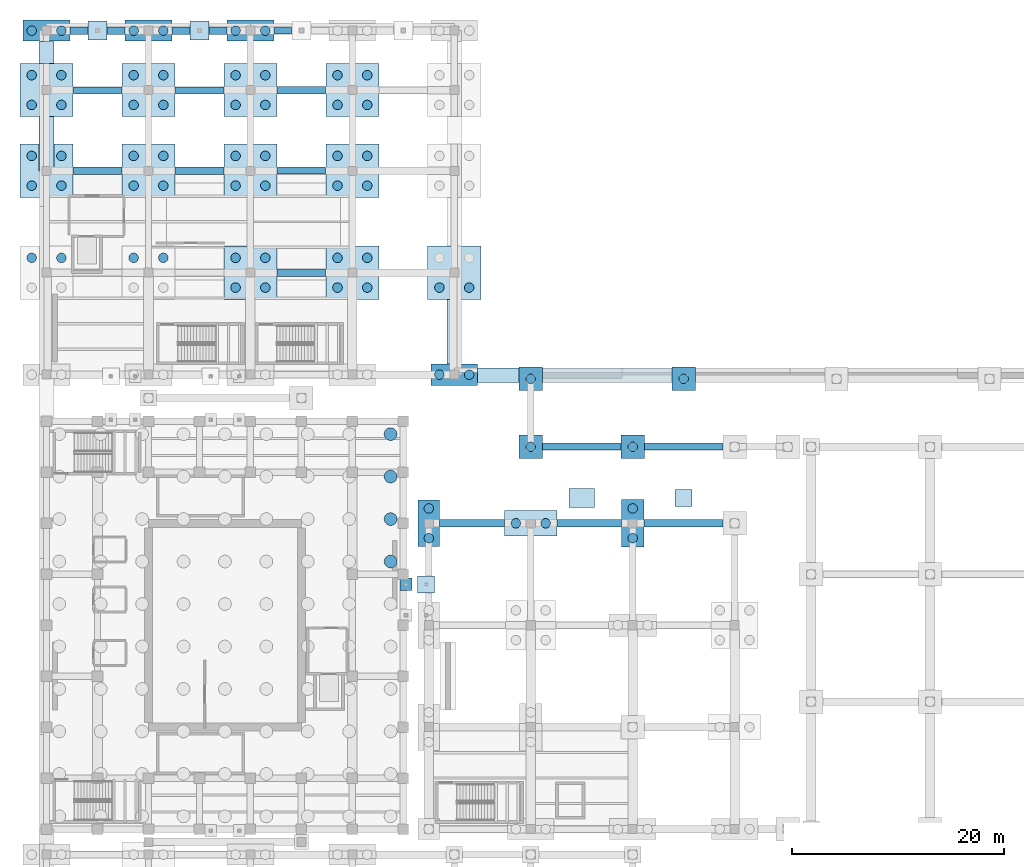
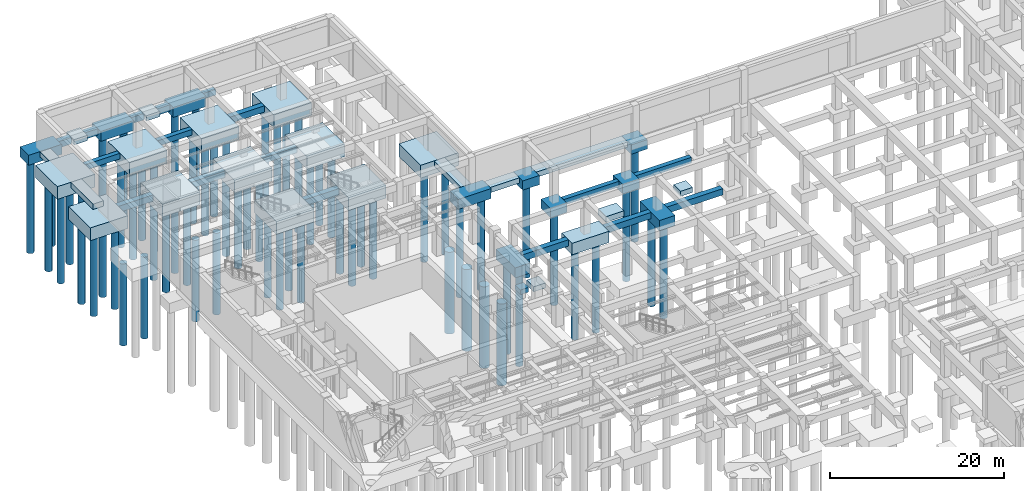
# One storey, part 6 of 56: 68 piles, 50 footings.
"""IFC4 building model written with IfcOpenShell, lengths in metres."""

from ifc_helpers import new_model, si_unit, direction, frame, origin, origin_2d, place, context, subcontext, project, spatial, rectangle, circle, extrude, material, material_profile, profile_set, type_object, element, save


model = new_model("IFC4")

# Units and contexts
model_context = context("Model", 3, precision=1e-05, world=origin(), true_north=direction((0.0, 1.0)))
body_context = subcontext(model_context, "Body", "Model", "MODEL_VIEW")
ifc_project = project(units=[si_unit("LENGTHUNIT", "METRE"), si_unit("AREAUNIT", "SQUARE_METRE"), si_unit("VOLUMEUNIT", "CUBIC_METRE"), si_unit("PLANEANGLEUNIT", "RADIAN"), si_unit("MASSUNIT", "GRAM", prefix="KILO")], contexts=[model_context])

# Site, building, storey
site_placement = place(None, origin())
site = spatial("IfcSite", under=ifc_project, at=site_placement, CompositionType="ELEMENT")
building_placement = place(site_placement, origin())
building = spatial("IfcBuilding", under=site, at=building_placement, Name="Mavantir Sound Aquarium", CompositionType="ELEMENT")
storey_placement = place(building_placement, frame((0.0, 0.0, -9.60009765625)))
storey = spatial("IfcBuildingStorey", under=building, at=storey_placement, Name="B2", CompositionType="ELEMENT", Elevation=-9.60009765625)

# Footings
ifc_material_1 = material(Name="Concrete C40/50", Category="concrete")
ifc_material_profile_1 = material_profile(ifc_material_1, rectangle(XDim=0.60009765625, YDim=0.800048828125, at=origin_2d()), Name="RC 600X800")
ifc_profile_set_1 = profile_set([ifc_material_profile_1], Name="Concrete C40/50")
footing_type_1 = type_object("IfcFootingType", Name="FB-01", PredefinedType="FOOTING_BEAM", material=ifc_profile_set_1)
for number, where, z_axis, x_axis, name in (
    (1, (2.508056640625, 110.39990234375, -0.39990234375), (1.0, 0.0, 0.0), (0.0, 1.0, 0.0), "Foundation tie beam FB-01 9"),
    (2, (12.10791015625, 110.39990234375, -0.39990234375), (1.0, 0.0, 0.0), (0.0, 1.0, 0.0), "Foundation tie beam FB-01 17"),
    (3, (21.7080078125, 102.800048828125, -1.599853515625), (1.0, 0.0, 0.0), (0.0, 1.0, 0.0), "Foundation tie beam FB-01 23"),
):
    element("IfcFooting", number, at=place(storey_placement, frame(where, z_axis=z_axis, x_axis=x_axis)), inside=storey, type_object=footing_type_1, Name=name, PredefinedType="FOOTING_BEAM", context=body_context, shape_type="SweptSolid", body=[
        extrude(rectangle(XDim=0.60009765625, YDim=0.800048828125, at=origin_2d()), origin(), (0.0, 0.0, 1.0), 4.583984375),
    ])
footing_1_placement = place(storey_placement, frame((21.407958984375, 116.0, -0.39990234375), z_axis=(1.0, 0.0, 0.0), x_axis=(0.0, 1.0, 0.0)))
element("IfcFooting", 4, at=footing_1_placement, inside=storey, type_object=footing_type_1, Name="Foundation tie beam FB-01 25.1", PredefinedType="FOOTING_BEAM", context=body_context, shape_type="SweptSolid", body=[
    extrude(rectangle(XDim=0.60009765625, YDim=0.800048828125, at=origin_2d()), origin(), (0.0, 0.0, 1.0), 1.68408203125),
])
footing_2_placement = place(storey_placement, frame((46.7080078125, 76.800048828125, -0.39990234375), z_axis=(1.0, 0.0, 0.0), x_axis=(0.0, 1.0, 0.0)))
element("IfcFooting", 5, at=footing_2_placement, inside=storey, type_object=footing_type_1, Name="Foundation tie beam FB-01 51", PredefinedType="FOOTING_BEAM", context=body_context, shape_type="SweptSolid", body=[
    extrude(rectangle(XDim=0.60009765625, YDim=0.800048828125, at=origin_2d()), origin(), (0.0, 0.0, 1.0), 7.384033203125),
])
footing_3_placement = place(storey_placement, frame((56.30810546875, 76.800048828125, -0.39990234375), z_axis=(1.0, 0.0, 0.0), x_axis=(0.0, 1.0, 0.0)))
element("IfcFooting", 6, at=footing_3_placement, inside=storey, type_object=footing_type_1, Name="Foundation tie beam FB-01 55", PredefinedType="FOOTING_BEAM", context=body_context, shape_type="SweptSolid", body=[
    extrude(rectangle(XDim=0.60009765625, YDim=0.800048828125, at=origin_2d()), origin(), (0.0, 0.0, 1.0), 7.3837890625),
])
ifc_material_profile_2 = material_profile(ifc_material_1, rectangle(XDim=0.699951171875, YDim=0.89990234375, at=origin_2d()), Name="RC 700X900")
ifc_profile_set_2 = profile_set([ifc_material_profile_2], Name="Concrete C40/50")
footing_type_2 = type_object("IfcFootingType", Name="FB-02", PredefinedType="FOOTING_BEAM", material=ifc_profile_set_2)
footing_4_placement = place(storey_placement, frame((2.508056640625, 102.800048828125, -1.64990234375), z_axis=(1.0, 0.0, 0.0), x_axis=(0.0, 1.0, 0.0)))
element("IfcFooting", 7, at=footing_4_placement, inside=storey, type_object=footing_type_2, Name="Foundation tie beam FB-02 8", PredefinedType="FOOTING_BEAM", context=body_context, shape_type="SweptSolid", body=[
    extrude(rectangle(XDim=0.699951171875, YDim=0.89990234375, at=origin_2d()), origin(), (0.0, 0.0, 1.0), 4.583984375),
])
for number, where, z_axis, x_axis, name in (
    (8, (2.2080078125, 116.0, -0.449951171875), (1.0, 0.0, 0.0), (0.0, 1.0, 0.0), "Foundation tie beam FB-02 10.1"),
    (9, (5.7080078125, 116.0, -0.449951171875), (1.0, 0.0, 0.0), (0.0, 1.0, 0.0), "Foundation tie beam FB-02 10.2"),
):
    element("IfcFooting", number, at=place(storey_placement, frame(where, z_axis=z_axis, x_axis=x_axis)), inside=storey, type_object=footing_type_2, Name=name, PredefinedType="FOOTING_BEAM", context=body_context, shape_type="SweptSolid", body=[
        extrude(rectangle(XDim=0.699951171875, YDim=0.89990234375, at=origin_2d()), origin(), (0.0, 0.0, 1.0), 1.68408203125),
    ])
footing_5_placement = place(storey_placement, frame((12.10791015625, 102.800048828125, -1.64990234375), z_axis=(1.0, 0.0, 0.0), x_axis=(0.0, 1.0, 0.0)))
element("IfcFooting", 10, at=footing_5_placement, inside=storey, type_object=footing_type_2, Name="Foundation tie beam FB-02 16", PredefinedType="FOOTING_BEAM", context=body_context, shape_type="SweptSolid", body=[
    extrude(rectangle(XDim=0.699951171875, YDim=0.89990234375, at=origin_2d()), origin(), (0.0, 0.0, 1.0), 4.583984375),
])
for number, where, z_axis, x_axis, name in (
    (11, (11.80810546875, 116.0, -0.449951171875), (1.0, 0.0, 0.0), (0.0, 1.0, 0.0), "Foundation tie beam FB-02 18.1"),
    (12, (15.30810546875, 116.0, -0.449951171875), (1.0, 0.0, 0.0), (0.0, 1.0, 0.0), "Foundation tie beam FB-02 18.2"),
):
    element("IfcFooting", number, at=place(storey_placement, frame(where, z_axis=z_axis, x_axis=x_axis)), inside=storey, type_object=footing_type_2, Name=name, PredefinedType="FOOTING_BEAM", context=body_context, shape_type="SweptSolid", body=[
        extrude(rectangle(XDim=0.699951171875, YDim=0.89990234375, at=origin_2d()), origin(), (0.0, 0.0, 1.0), 1.683837890625),
    ])
for number, where, z_axis, x_axis, name in (
    (13, (21.7080078125, 93.199951171875, -1.64990234375), (1.0, 0.0, 0.0), (0.0, 1.0, 0.0), "Foundation tie beam FB-02 22"),
    (14, (21.7080078125, 110.39990234375, -0.449951171875), (1.0, 0.0, 0.0), (0.0, 1.0, 0.0), "Foundation tie beam FB-02 24"),
):
    element("IfcFooting", number, at=place(storey_placement, frame(where, z_axis=z_axis, x_axis=x_axis)), inside=storey, type_object=footing_type_2, Name=name, PredefinedType="FOOTING_BEAM", context=body_context, shape_type="SweptSolid", body=[
        extrude(rectangle(XDim=0.699951171875, YDim=0.89990234375, at=origin_2d()), origin(), (0.0, 0.0, 1.0), 4.583984375),
    ])
footing_6_placement = place(storey_placement, frame((37.008056640625, 69.60009765625, -0.449951171875), z_axis=(1.0, 0.0, 0.0), x_axis=(0.0, 1.0, 0.0)))
element("IfcFooting", 15, at=footing_6_placement, inside=storey, type_object=footing_type_2, Name="Foundation tie beam FB-02 36", PredefinedType="FOOTING_BEAM", context=body_context, shape_type="SweptSolid", body=[
    extrude(rectangle(XDim=0.699951171875, YDim=0.89990234375, at=origin_2d()), origin(), (0.0, 0.0, 1.0), 6.134033203125),
])
footing_7_placement = place(storey_placement, frame((48.05810546875, 69.60009765625, -0.449951171875), z_axis=(1.0, 0.0, 0.0), x_axis=(0.0, 1.0, 0.0)))
element("IfcFooting", 16, at=footing_7_placement, inside=storey, type_object=footing_type_2, Name="Foundation tie beam FB-02 50", PredefinedType="FOOTING_BEAM", context=body_context, shape_type="SweptSolid", body=[
    extrude(rectangle(XDim=0.699951171875, YDim=0.89990234375, at=origin_2d()), origin(), (0.0, 0.0, 1.0), 6.091796875),
])
footing_8_placement = place(storey_placement, frame((56.258056640625, 69.60009765625, -0.449951171875), z_axis=(1.0, 0.0, 0.0), x_axis=(0.0, 1.0, 0.0)))
element("IfcFooting", 17, at=footing_8_placement, inside=storey, type_object=footing_type_2, Name="Foundation tie beam FB-02 54", PredefinedType="FOOTING_BEAM", context=body_context, shape_type="SweptSolid", body=[
    extrude(rectangle(XDim=0.699951171875, YDim=0.89990234375, at=origin_2d()), origin(), (0.0, 0.0, 1.0), 7.433837890625),
])
footing_type_3 = type_object("IfcFootingType", Name="PC-03", PredefinedType="PILE_CAP", material=ifc_material_1)
for number, where, z_axis, x_axis, name in (
    (18, (0.0, 116.0, -1.39990234375), (0.0, 0.0, 1.0), (1.0, 0.0, 0.0), "Pile cap PC-03 137"),
    (19, (9.60009765625, 116.0, -1.39990234375), (0.0, 0.0, 1.0), (1.0, 0.0, 0.0), "Pile cap PC-03 142"),
    (20, (19.199951171875, 116.0, -1.39990234375), (0.0, 0.0, 1.0), (1.0, 0.0, 0.0), "Pile cap PC-03 147"),
    (21, (38.39990234375, 83.60009765625, -1.39990234375), (0.0, 0.0, 1.0), (1.0, 0.0, 0.0), "Pile cap PC-03 153"),
):
    element("IfcFooting", number, at=place(storey_placement, frame(where, z_axis=z_axis, x_axis=x_axis)), inside=storey, type_object=footing_type_3, Name=name, PredefinedType="PILE_CAP", context=body_context, shape_type="SweptSolid", body=[
        extrude(rectangle(XDim=4.39990234375, YDim=2.0, at=origin_2d()), origin(), (0.0, 0.0, 1.0), 1.39990234375),
    ])
footing_type_4 = type_object("IfcFootingType", Name="PC-04", PredefinedType="PILE_CAP", material=ifc_material_1)
footing_9_placement = place(storey_placement, frame((36.0, 69.60009765625, -1.39990234375), z_axis=(0.0, 0.0, 1.0), x_axis=(1.0, 0.0, 0.0)))
element("IfcFooting", 22, at=footing_9_placement, inside=storey, type_object=footing_type_4, Name="Pile cap PC-04 4", PredefinedType="PILE_CAP", context=body_context, shape_type="SweptSolid", body=[
    extrude(rectangle(XDim=2.0, YDim=4.39990234375, at=origin_2d()), origin(), (0.0, 0.0, 1.0), 1.39990234375),
])
footing_type_5 = type_object("IfcFootingType", Name="PC-06", PredefinedType="PILE_CAP", material=ifc_material_1)
for number, where, z_axis, x_axis, name in (
    (23, (0.0, 102.800048828125, -3.0), (0.0, 0.0, 1.0), (1.0, 0.0, 0.0), "Pile cap PC-06 135"),
    (24, (0.0, 110.39990234375, -1.7998046875), (0.0, 0.0, 1.0), (1.0, 0.0, 0.0), "Pile cap PC-06 136"),
    (25, (9.60009765625, 102.800048828125, -3.0), (0.0, 0.0, 1.0), (1.0, 0.0, 0.0), "Pile cap PC-06 140"),
    (26, (9.60009765625, 110.39990234375, -1.7998046875), (0.0, 0.0, 1.0), (1.0, 0.0, 0.0), "Pile cap PC-06 141"),
    (27, (19.199951171875, 93.199951171875, -3.0), (0.0, 0.0, 1.0), (1.0, 0.0, 0.0), "Pile cap PC-06 144"),
    (28, (19.199951171875, 102.800048828125, -3.0), (0.0, 0.0, 1.0), (1.0, 0.0, 0.0), "Pile cap PC-06 145"),
    (29, (19.199951171875, 110.39990234375, -1.7998046875), (0.0, 0.0, 1.0), (1.0, 0.0, 0.0), "Pile cap PC-06 146"),
    (30, (28.800048828125, 93.199951171875, -3.0), (0.0, 0.0, 1.0), (1.0, 0.0, 0.0), "Pile cap PC-06 149"),
    (31, (28.800048828125, 102.800048828125, -3.0), (0.0, 0.0, 1.0), (1.0, 0.0, 0.0), "Pile cap PC-06 150"),
    (32, (28.800048828125, 110.39990234375, -1.7998046875), (0.0, 0.0, 1.0), (1.0, 0.0, 0.0), "Pile cap PC-06 151"),
    (33, (38.39990234375, 93.199951171875, -1.7998046875), (0.0, 0.0, 1.0), (1.0, 0.0, 0.0), "Pile cap PC-06 154"),
):
    element("IfcFooting", number, at=place(storey_placement, frame(where, z_axis=z_axis, x_axis=x_axis)), inside=storey, type_object=footing_type_5, Name=name, PredefinedType="PILE_CAP", context=body_context, shape_type="SweptSolid", body=[
        extrude(rectangle(XDim=5.0, YDim=5.0, at=origin_2d()), origin(), (0.0, 0.0, 1.0), 1.800048828125),
    ])
footing_type_6 = type_object("IfcFootingType", Name="PC-08", PredefinedType="PILE_CAP", material=ifc_material_1)
for number, where, z_axis, x_axis, name in (
    (34, (45.60009765625, 76.800048828125, -1.2998046875), (0.0, 0.0, 1.0), (1.0, 0.0, 0.0), "Pile cap PC-08 230"),
    (35, (55.199951171875, 76.800048828125, -1.2998046875), (0.0, 0.0, 1.0), (1.0, 0.0, 0.0), "Pile cap PC-08 231"),
    (36, (45.60009765625, 83.199951171875, -1.2998046875), (0.0, 0.0, 1.0), (1.0, 0.0, 0.0), "Pile cap PC-08 237"),
    (37, (60.0, 83.199951171875, -1.2998046875), (0.0, 0.0, 1.0), (1.0, 0.0, 0.0), "Pile cap PC-08 238"),
):
    element("IfcFooting", number, at=place(storey_placement, frame(where, z_axis=z_axis, x_axis=x_axis)), inside=storey, type_object=footing_type_6, Name=name, PredefinedType="PILE_CAP", context=body_context, shape_type="SweptSolid", body=[
        extrude(rectangle(XDim=2.199951171875, YDim=2.199951171875, at=origin_2d()), origin(), (0.0, 0.0, 1.0), 1.300048828125),
    ])
footing_type_7 = type_object("IfcFootingType", Name="PC-10", PredefinedType="PILE_CAP", material=ifc_material_1)
footing_10_placement = place(storey_placement, frame((55.199951171875, 69.60009765625, -1.44970703125), z_axis=(0.0, 0.0, 1.0), x_axis=(1.0, 0.0, 0.0)))
element("IfcFooting", 38, at=footing_10_placement, inside=storey, type_object=footing_type_7, Name="Pile cap PC-10 12", PredefinedType="PILE_CAP", context=body_context, shape_type="SweptSolid", body=[
    extrude(rectangle(XDim=2.10009765625, YDim=4.5, at=origin_2d()), origin(), (0.0, 0.0, 1.0), 1.449951171875),
])
ifc_material_2 = material(Name="Concrete C45/55", Category="concrete")
footing_type_8 = type_object("IfcFootingType", Name="PC-12", PredefinedType="PILE_CAP", material=ifc_material_2)
footing_11_placement = place(storey_placement, frame((45.60009765625, 69.60009765625, -1.599853515625), z_axis=(0.0, 0.0, 1.0), x_axis=(1.0, 0.0, 0.0)))
element("IfcFooting", 39, at=footing_11_placement, inside=storey, type_object=footing_type_8, Name="Pile cap PC-12 8", PredefinedType="PILE_CAP", context=body_context, shape_type="SweptSolid", body=[
    extrude(rectangle(XDim=4.89990234375, YDim=2.39990234375, at=origin_2d()), origin(), (0.0, 0.0, 1.0), 1.60009765625),
])
footing_type_9 = type_object("IfcFootingType", Name="PF-01", PredefinedType="PAD_FOOTING", material=ifc_material_1)
for number, where, z_axis, x_axis, name in (
    (40, (4.800048828125, 116.0, -0.75), (0.0, 0.0, 1.0), (1.0, 0.0, 0.0), "Pilaster pad footing 5"),
    (41, (14.39990234375, 116.0, -0.75), (0.0, 0.0, 1.0), (1.0, 0.0, 0.0), "Pilaster pad footing 6"),
):
    element("IfcFooting", number, at=place(storey_placement, frame(where, z_axis=z_axis, x_axis=x_axis)), inside=storey, type_object=footing_type_9, Name=name, PredefinedType="PAD_FOOTING", context=body_context, shape_type="SweptSolid", body=[
        extrude(rectangle(XDim=1.800048828125, YDim=1.800048828125, at=origin_2d()), origin(), (0.0, 0.0, 1.0), 0.75),
    ])
footing_type_10 = type_object("IfcFootingType", Name="PF-03", PredefinedType="PAD_FOOTING", material=ifc_material_1)
footing_12_placement = place(storey_placement, frame((50.39990234375, 72.0, -0.7998046875), z_axis=(0.0, 0.0, 1.0), x_axis=(1.0, 0.0, 0.0)))
element("IfcFooting", 42, at=footing_12_placement, inside=storey, type_object=footing_type_10, Name="Pad footing PF-03 5", PredefinedType="PAD_FOOTING", context=body_context, shape_type="SweptSolid", body=[
    extrude(rectangle(XDim=2.39990234375, YDim=1.800048828125, at=origin_2d()), origin(), (0.0, 0.0, 1.0), 0.800048828125),
])
footing_type_11 = type_object("IfcFootingType", Name="PF-04", PredefinedType="PAD_FOOTING", material=ifc_material_1)
for number, where, z_axis, x_axis, name in (
    (43, (60.0, 72.0, -0.69970703125), (0.0, 0.0, 1.0), (1.0, 0.0, 0.0), "Pad footing PF-04 6"),
    (44, (35.75, 63.85009765625, -0.69970703125), (0.0, 0.0, 1.0), (1.0, 0.0, 0.0), "Bridge pier footing 1.4"),
):
    element("IfcFooting", number, at=place(storey_placement, frame(where, z_axis=z_axis, x_axis=x_axis)), inside=storey, type_object=footing_type_11, Name=name, PredefinedType="PAD_FOOTING", context=body_context, shape_type="SweptSolid", body=[
        extrude(rectangle(XDim=1.60009765625, YDim=1.60009765625, at=origin_2d()), origin(), (0.0, 0.0, 1.0), 0.699951171875),
    ])

# Piles
ifc_material_profile_3 = material_profile(ifc_material_1, circle(Radius=0.60009765625, at=origin_2d()), Name="PILE D1200")
ifc_profile_set_3 = profile_set([ifc_material_profile_3], Name="Concrete C40/50")
pile_type_1 = type_object("IfcPileType", Name="PILE-D1200", PredefinedType="BORED", material=ifc_profile_set_3)
for number, where, z_axis, x_axis, name in (
    (45, (32.39990234375, 66.0, -2.89990234375), (0.0, 0.0, -1.0), (1.0, 0.0, 0.0), "Bored pile P-1200 87"),
    (46, (32.39990234375, 70.0, -2.89990234375), (0.0, 0.0, -1.0), (1.0, 0.0, 0.0), "Bored pile P-1200 88"),
    (47, (32.39990234375, 74.0, -2.89990234375), (0.0, 0.0, -1.0), (1.0, 0.0, 0.0), "Bored pile P-1200 89"),
    (48, (32.39990234375, 78.0, -2.89990234375), (0.0, 0.0, -1.0), (1.0, 0.0, 0.0), "Bored pile P-1200 90"),
):
    element("IfcPile", number, at=place(storey_placement, frame(where, z_axis=z_axis, x_axis=x_axis)), inside=storey, type_object=pile_type_1, Name=name, PredefinedType="BORED", context=body_context, shape_type="SweptSolid", body=[
        extrude(circle(Radius=0.60009765625, at=origin_2d()), origin(), (0.0, 0.0, 1.0), 11.5),
    ])
ifc_material_profile_4 = material_profile(ifc_material_1, circle(Radius=0.449951171875, at=origin_2d()), Name="PILE D900")
ifc_profile_set_4 = profile_set([ifc_material_profile_4], Name="Concrete C40/50")
pile_type_2 = type_object("IfcPileType", Name="PILE-D900", PredefinedType="BORED", material=ifc_profile_set_4)
for number, where, z_axis, x_axis, name in (
    (49, (36.0, 68.199951171875, -1.2998046875), (0.0, 0.0, -1.0), (1.0, 0.0, 0.0), "Bored pile P-900 96"),
    (50, (36.0, 71.0, -1.2998046875), (0.0, 0.0, -1.0), (1.0, 0.0, 0.0), "Bored pile P-900 97"),
):
    element("IfcPile", number, at=place(storey_placement, frame(where, z_axis=z_axis, x_axis=x_axis)), inside=storey, type_object=pile_type_2, Name=name, PredefinedType="BORED", context=body_context, shape_type="SweptSolid", body=[
        extrude(circle(Radius=0.449951171875, at=origin_2d()), origin(), (0.0, 0.0, 1.0), 13.10009765625),
    ])
for number, where, z_axis, x_axis, name in (
    (51, (44.199951171875, 69.60009765625, -1.5), (0.0, 0.0, -1.0), (1.0, 0.0, 0.0), "Bored pile P-900 106"),
    (52, (47.0, 69.60009765625, -1.5), (0.0, 0.0, -1.0), (1.0, 0.0, 0.0), "Bored pile P-900 107"),
):
    element("IfcPile", number, at=place(storey_placement, frame(where, z_axis=z_axis, x_axis=x_axis)), inside=storey, type_object=pile_type_2, Name=name, PredefinedType="BORED", context=body_context, shape_type="SweptSolid", body=[
        extrude(circle(Radius=0.449951171875, at=origin_2d()), origin(), (0.0, 0.0, 1.0), 12.89990234375),
    ])
for number, where, z_axis, x_axis, name in (
    (53, (55.199951171875, 68.199951171875, -1.349853515625), (0.0, 0.0, -1.0), (1.0, 0.0, 0.0), "Bored pile P-900 113"),
    (54, (55.199951171875, 71.0, -1.349853515625), (0.0, 0.0, -1.0), (1.0, 0.0, 0.0), "Bored pile P-900 114"),
):
    element("IfcPile", number, at=place(storey_placement, frame(where, z_axis=z_axis, x_axis=x_axis)), inside=storey, type_object=pile_type_2, Name=name, PredefinedType="BORED", context=body_context, shape_type="SweptSolid", body=[
        extrude(circle(Radius=0.449951171875, at=origin_2d()), origin(), (0.0, 0.0, 1.0), 13.050048828125),
    ])
for number, where, z_axis, x_axis, name in (
    (55, (-1.39990234375, 94.60009765625, -2.89990234375), (0.0, 0.0, -1.0), (1.0, 0.0, 0.0), "Bored pile P-900 449"),
    (56, (1.39990234375, 94.60009765625, -2.89990234375), (0.0, 0.0, -1.0), (1.0, 0.0, 0.0), "Bored pile P-900 450"),
    (57, (-1.39990234375, 101.39990234375, -2.89990234375), (0.0, 0.0, -1.0), (1.0, 0.0, 0.0), "Bored pile P-900 451"),
    (58, (1.39990234375, 101.39990234375, -2.89990234375), (0.0, 0.0, -1.0), (1.0, 0.0, 0.0), "Bored pile P-900 452"),
    (59, (-1.39990234375, 104.199951171875, -2.89990234375), (0.0, 0.0, -1.0), (1.0, 0.0, 0.0), "Bored pile P-900 453"),
    (60, (1.39990234375, 104.199951171875, -2.89990234375), (0.0, 0.0, -1.0), (1.0, 0.0, 0.0), "Bored pile P-900 454"),
):
    element("IfcPile", number, at=place(storey_placement, frame(where, z_axis=z_axis, x_axis=x_axis)), inside=storey, type_object=pile_type_2, Name=name, PredefinedType="BORED", context=body_context, shape_type="SweptSolid", body=[
        extrude(circle(Radius=0.449951171875, at=origin_2d()), origin(), (0.0, 0.0, 1.0), 11.5),
    ])
for number, where, z_axis, x_axis, name in (
    (61, (-1.39990234375, 109.0, -1.699951171875), (0.0, 0.0, -1.0), (1.0, 0.0, 0.0), "Bored pile P-900 455"),
    (62, (1.39990234375, 109.0, -1.699951171875), (0.0, 0.0, -1.0), (1.0, 0.0, 0.0), "Bored pile P-900 456"),
    (63, (-1.39990234375, 111.800048828125, -1.699951171875), (0.0, 0.0, -1.0), (1.0, 0.0, 0.0), "Bored pile P-900 457"),
    (64, (1.39990234375, 111.800048828125, -1.699951171875), (0.0, 0.0, -1.0), (1.0, 0.0, 0.0), "Bored pile P-900 458"),
):
    element("IfcPile", number, at=place(storey_placement, frame(where, z_axis=z_axis, x_axis=x_axis)), inside=storey, type_object=pile_type_2, Name=name, PredefinedType="BORED", context=body_context, shape_type="SweptSolid", body=[
        extrude(circle(Radius=0.449951171875, at=origin_2d()), origin(), (0.0, 0.0, 1.0), 12.699951171875),
    ])
for number, where, z_axis, x_axis, name in (
    (65, (-1.39990234375, 116.0, -1.2998046875), (0.0, 0.0, -1.0), (1.0, 0.0, 0.0), "Bored pile P-900 459"),
    (66, (1.39990234375, 116.0, -1.2998046875), (0.0, 0.0, -1.0), (1.0, 0.0, 0.0), "Bored pile P-900 460"),
):
    element("IfcPile", number, at=place(storey_placement, frame(where, z_axis=z_axis, x_axis=x_axis)), inside=storey, type_object=pile_type_2, Name=name, PredefinedType="BORED", context=body_context, shape_type="SweptSolid", body=[
        extrude(circle(Radius=0.449951171875, at=origin_2d()), origin(), (0.0, 0.0, 1.0), 13.10009765625),
    ])
for number, where, z_axis, x_axis, name in (
    (67, (8.199951171875, 94.60009765625, -2.89990234375), (0.0, 0.0, -1.0), (1.0, 0.0, 0.0), "Bored pile P-900 465"),
    (68, (11.0, 94.60009765625, -2.89990234375), (0.0, 0.0, -1.0), (1.0, 0.0, 0.0), "Bored pile P-900 466"),
    (69, (8.199951171875, 101.39990234375, -2.89990234375), (0.0, 0.0, -1.0), (1.0, 0.0, 0.0), "Bored pile P-900 467"),
    (70, (11.0, 101.39990234375, -2.89990234375), (0.0, 0.0, -1.0), (1.0, 0.0, 0.0), "Bored pile P-900 468"),
    (71, (8.199951171875, 104.199951171875, -2.89990234375), (0.0, 0.0, -1.0), (1.0, 0.0, 0.0), "Bored pile P-900 469"),
    (72, (11.0, 104.199951171875, -2.89990234375), (0.0, 0.0, -1.0), (1.0, 0.0, 0.0), "Bored pile P-900 470"),
):
    element("IfcPile", number, at=place(storey_placement, frame(where, z_axis=z_axis, x_axis=x_axis)), inside=storey, type_object=pile_type_2, Name=name, PredefinedType="BORED", context=body_context, shape_type="SweptSolid", body=[
        extrude(circle(Radius=0.449951171875, at=origin_2d()), origin(), (0.0, 0.0, 1.0), 11.5),
    ])
for number, where, z_axis, x_axis, name in (
    (73, (8.199951171875, 109.0, -1.699951171875), (0.0, 0.0, -1.0), (1.0, 0.0, 0.0), "Bored pile P-900 471"),
    (74, (11.0, 109.0, -1.699951171875), (0.0, 0.0, -1.0), (1.0, 0.0, 0.0), "Bored pile P-900 472"),
    (75, (8.199951171875, 111.800048828125, -1.699951171875), (0.0, 0.0, -1.0), (1.0, 0.0, 0.0), "Bored pile P-900 473"),
    (76, (11.0, 111.800048828125, -1.699951171875), (0.0, 0.0, -1.0), (1.0, 0.0, 0.0), "Bored pile P-900 474"),
):
    element("IfcPile", number, at=place(storey_placement, frame(where, z_axis=z_axis, x_axis=x_axis)), inside=storey, type_object=pile_type_2, Name=name, PredefinedType="BORED", context=body_context, shape_type="SweptSolid", body=[
        extrude(circle(Radius=0.449951171875, at=origin_2d()), origin(), (0.0, 0.0, 1.0), 12.699951171875),
    ])
for number, where, z_axis, x_axis, name in (
    (77, (8.199951171875, 116.0, -1.2998046875), (0.0, 0.0, -1.0), (1.0, 0.0, 0.0), "Bored pile P-900 475"),
    (78, (11.0, 116.0, -1.2998046875), (0.0, 0.0, -1.0), (1.0, 0.0, 0.0), "Bored pile P-900 476"),
):
    element("IfcPile", number, at=place(storey_placement, frame(where, z_axis=z_axis, x_axis=x_axis)), inside=storey, type_object=pile_type_2, Name=name, PredefinedType="BORED", context=body_context, shape_type="SweptSolid", body=[
        extrude(circle(Radius=0.449951171875, at=origin_2d()), origin(), (0.0, 0.0, 1.0), 13.10009765625),
    ])
for number, where, z_axis, x_axis, name in (
    (79, (17.800048828125, 91.800048828125, -2.89990234375), (0.0, 0.0, -1.0), (1.0, 0.0, 0.0), "Bored pile P-900 479"),
    (80, (20.60009765625, 91.800048828125, -2.89990234375), (0.0, 0.0, -1.0), (1.0, 0.0, 0.0), "Bored pile P-900 480"),
    (81, (17.800048828125, 94.60009765625, -2.89990234375), (0.0, 0.0, -1.0), (1.0, 0.0, 0.0), "Bored pile P-900 481"),
    (82, (20.60009765625, 94.60009765625, -2.89990234375), (0.0, 0.0, -1.0), (1.0, 0.0, 0.0), "Bored pile P-900 482"),
    (83, (17.800048828125, 101.39990234375, -2.89990234375), (0.0, 0.0, -1.0), (1.0, 0.0, 0.0), "Bored pile P-900 483"),
    (84, (20.60009765625, 101.39990234375, -2.89990234375), (0.0, 0.0, -1.0), (1.0, 0.0, 0.0), "Bored pile P-900 484"),
    (85, (17.800048828125, 104.199951171875, -2.89990234375), (0.0, 0.0, -1.0), (1.0, 0.0, 0.0), "Bored pile P-900 485"),
    (86, (20.60009765625, 104.199951171875, -2.89990234375), (0.0, 0.0, -1.0), (1.0, 0.0, 0.0), "Bored pile P-900 486"),
):
    element("IfcPile", number, at=place(storey_placement, frame(where, z_axis=z_axis, x_axis=x_axis)), inside=storey, type_object=pile_type_2, Name=name, PredefinedType="BORED", context=body_context, shape_type="SweptSolid", body=[
        extrude(circle(Radius=0.449951171875, at=origin_2d()), origin(), (0.0, 0.0, 1.0), 11.5),
    ])
for number, where, z_axis, x_axis, name in (
    (87, (17.800048828125, 109.0, -1.699951171875), (0.0, 0.0, -1.0), (1.0, 0.0, 0.0), "Bored pile P-900 487"),
    (88, (20.60009765625, 109.0, -1.699951171875), (0.0, 0.0, -1.0), (1.0, 0.0, 0.0), "Bored pile P-900 488"),
    (89, (17.800048828125, 111.800048828125, -1.699951171875), (0.0, 0.0, -1.0), (1.0, 0.0, 0.0), "Bored pile P-900 489"),
    (90, (20.60009765625, 111.800048828125, -1.699951171875), (0.0, 0.0, -1.0), (1.0, 0.0, 0.0), "Bored pile P-900 490"),
):
    element("IfcPile", number, at=place(storey_placement, frame(where, z_axis=z_axis, x_axis=x_axis)), inside=storey, type_object=pile_type_2, Name=name, PredefinedType="BORED", context=body_context, shape_type="SweptSolid", body=[
        extrude(circle(Radius=0.449951171875, at=origin_2d()), origin(), (0.0, 0.0, 1.0), 12.699951171875),
    ])
for number, where, z_axis, x_axis, name in (
    (91, (17.800048828125, 116.0, -1.2998046875), (0.0, 0.0, -1.0), (1.0, 0.0, 0.0), "Bored pile P-900 491"),
    (92, (20.60009765625, 116.0, -1.2998046875), (0.0, 0.0, -1.0), (1.0, 0.0, 0.0), "Bored pile P-900 492"),
):
    element("IfcPile", number, at=place(storey_placement, frame(where, z_axis=z_axis, x_axis=x_axis)), inside=storey, type_object=pile_type_2, Name=name, PredefinedType="BORED", context=body_context, shape_type="SweptSolid", body=[
        extrude(circle(Radius=0.449951171875, at=origin_2d()), origin(), (0.0, 0.0, 1.0), 13.10009765625),
    ])
for number, where, z_axis, x_axis, name in (
    (93, (27.39990234375, 91.800048828125, -2.89990234375), (0.0, 0.0, -1.0), (1.0, 0.0, 0.0), "Bored pile P-900 495"),
    (94, (30.199951171875, 91.800048828125, -2.89990234375), (0.0, 0.0, -1.0), (1.0, 0.0, 0.0), "Bored pile P-900 496"),
    (95, (27.39990234375, 94.60009765625, -2.89990234375), (0.0, 0.0, -1.0), (1.0, 0.0, 0.0), "Bored pile P-900 497"),
    (96, (30.199951171875, 94.60009765625, -2.89990234375), (0.0, 0.0, -1.0), (1.0, 0.0, 0.0), "Bored pile P-900 498"),
    (97, (27.39990234375, 101.39990234375, -2.89990234375), (0.0, 0.0, -1.0), (1.0, 0.0, 0.0), "Bored pile P-900 499"),
    (98, (30.199951171875, 101.39990234375, -2.89990234375), (0.0, 0.0, -1.0), (1.0, 0.0, 0.0), "Bored pile P-900 500"),
    (99, (27.39990234375, 104.199951171875, -2.89990234375), (0.0, 0.0, -1.0), (1.0, 0.0, 0.0), "Bored pile P-900 501"),
    (100, (30.199951171875, 104.199951171875, -2.89990234375), (0.0, 0.0, -1.0), (1.0, 0.0, 0.0), "Bored pile P-900 502"),
):
    element("IfcPile", number, at=place(storey_placement, frame(where, z_axis=z_axis, x_axis=x_axis)), inside=storey, type_object=pile_type_2, Name=name, PredefinedType="BORED", context=body_context, shape_type="SweptSolid", body=[
        extrude(circle(Radius=0.449951171875, at=origin_2d()), origin(), (0.0, 0.0, 1.0), 11.5),
    ])
for number, where, z_axis, x_axis, name in (
    (101, (27.39990234375, 109.0, -1.699951171875), (0.0, 0.0, -1.0), (1.0, 0.0, 0.0), "Bored pile P-900 503"),
    (102, (30.199951171875, 109.0, -1.699951171875), (0.0, 0.0, -1.0), (1.0, 0.0, 0.0), "Bored pile P-900 504"),
    (103, (27.39990234375, 111.800048828125, -1.699951171875), (0.0, 0.0, -1.0), (1.0, 0.0, 0.0), "Bored pile P-900 505"),
    (104, (30.199951171875, 111.800048828125, -1.699951171875), (0.0, 0.0, -1.0), (1.0, 0.0, 0.0), "Bored pile P-900 506"),
):
    element("IfcPile", number, at=place(storey_placement, frame(where, z_axis=z_axis, x_axis=x_axis)), inside=storey, type_object=pile_type_2, Name=name, PredefinedType="BORED", context=body_context, shape_type="SweptSolid", body=[
        extrude(circle(Radius=0.449951171875, at=origin_2d()), origin(), (0.0, 0.0, 1.0), 12.699951171875),
    ])
for number, where, z_axis, x_axis, name in (
    (105, (37.0, 83.60009765625, -1.2998046875), (0.0, 0.0, -1.0), (1.0, 0.0, 0.0), "Bored pile P-900 509"),
    (106, (39.800048828125, 83.60009765625, -1.2998046875), (0.0, 0.0, -1.0), (1.0, 0.0, 0.0), "Bored pile P-900 510"),
):
    element("IfcPile", number, at=place(storey_placement, frame(where, z_axis=z_axis, x_axis=x_axis)), inside=storey, type_object=pile_type_2, Name=name, PredefinedType="BORED", context=body_context, shape_type="SweptSolid", body=[
        extrude(circle(Radius=0.449951171875, at=origin_2d()), origin(), (0.0, 0.0, 1.0), 13.10009765625),
    ])
for number, where, z_axis, x_axis, name in (
    (107, (37.0, 91.800048828125, -1.699951171875), (0.0, 0.0, -1.0), (1.0, 0.0, 0.0), "Bored pile P-900 511"),
    (108, (39.800048828125, 91.800048828125, -1.699951171875), (0.0, 0.0, -1.0), (1.0, 0.0, 0.0), "Bored pile P-900 512"),
):
    element("IfcPile", number, at=place(storey_placement, frame(where, z_axis=z_axis, x_axis=x_axis)), inside=storey, type_object=pile_type_2, Name=name, PredefinedType="BORED", context=body_context, shape_type="SweptSolid", body=[
        extrude(circle(Radius=0.449951171875, at=origin_2d()), origin(), (0.0, 0.0, 1.0), 12.699951171875),
    ])
for number, where, z_axis, x_axis, name in (
    (109, (45.60009765625, 76.800048828125, -1.199951171875), (0.0, 0.0, -1.0), (1.0, 0.0, 0.0), "Bored pile P-900 654"),
    (110, (55.199951171875, 76.800048828125, -1.199951171875), (0.0, 0.0, -1.0), (1.0, 0.0, 0.0), "Bored pile P-900 655"),
    (111, (45.60009765625, 83.199951171875, -1.199951171875), (0.0, 0.0, -1.0), (1.0, 0.0, 0.0), "Bored pile P-900 659"),
    (112, (60.0, 83.199951171875, -1.199951171875), (0.0, 0.0, -1.0), (1.0, 0.0, 0.0), "Bored pile P-900 660"),
):
    element("IfcPile", number, at=place(storey_placement, frame(where, z_axis=z_axis, x_axis=x_axis)), inside=storey, type_object=pile_type_2, Name=name, PredefinedType="BORED", context=body_context, shape_type="SweptSolid", body=[
        extrude(circle(Radius=0.449951171875, at=origin_2d()), origin(), (0.0, 0.0, 1.0), 13.199951171875),
    ])

# Footings
ifc_material_profile_5 = material_profile(ifc_material_1, rectangle(XDim=1.199951171875, YDim=0.64990234375, at=origin_2d()), Name="RC 1200X650")
ifc_profile_set_5 = profile_set([ifc_material_profile_5], Name="Concrete C40/50")
footing_type_12 = type_object("IfcFootingType", Name="SF-01", PredefinedType="STRIP_FOOTING", material=ifc_profile_set_5)
footing_13_placement = place(storey_placement, frame((33.300048828125, 63.85009765625, -0.324951171875), z_axis=(1.0, 0.0, 0.0), x_axis=(0.0, 1.0, 0.0)))
element("IfcFooting", 113, at=footing_13_placement, inside=storey, type_object=footing_type_12, Name="Bridge pier strip footing 1.2", PredefinedType="STRIP_FOOTING", context=body_context, shape_type="SweptSolid", body=[
    extrude(rectangle(XDim=1.199951171875, YDim=0.64990234375, at=origin_2d()), origin(), (0.0, 0.0, 1.0), 1.099853515625),
])
ifc_material_profile_6 = material_profile(ifc_material_1, rectangle(XDim=1.39990234375, YDim=0.75, at=origin_2d()), Name="RC 1400X750")
ifc_profile_set_6 = profile_set([ifc_material_profile_6], Name="Concrete C40/50")
footing_type_13 = type_object("IfcFootingType", Name="SF-02", PredefinedType="STRIP_FOOTING", material=ifc_profile_set_6)
footing_14_placement = place(storey_placement, frame((0.0, 102.800048828125, -0.375), z_axis=(0.0, 1.0, 0.0), x_axis=(-1.0, 0.0, 0.0)))
element("IfcFooting", 114, at=footing_14_placement, inside=storey, type_object=footing_type_13, Name="Perimeter retaining wall strip footing 5", PredefinedType="STRIP_FOOTING", context=body_context, shape_type="SweptSolid", body=[
    extrude(rectangle(XDim=1.39990234375, YDim=0.75, at=origin_2d()), origin(), (0.0, 0.0, 1.0), 5.092041015625),
])
footing_15_placement = place(storey_placement, frame((0.0, 112.907958984375, -0.375), z_axis=(0.0, 1.0, 0.0), x_axis=(-1.0, 0.0, 0.0)))
element("IfcFooting", 115, at=footing_15_placement, inside=storey, type_object=footing_type_13, Name="Perimeter retaining wall strip footing 6", PredefinedType="STRIP_FOOTING", context=body_context, shape_type="SweptSolid", body=[
    extrude(rectangle(XDim=1.39990234375, YDim=0.75, at=origin_2d()), origin(), (0.0, 0.0, 1.0), 2.083984375),
])
footing_16_placement = place(storey_placement, frame((38.39990234375, 90.69189453125, -0.375), z_axis=(0.0, -1.0, 0.0), x_axis=(1.0, 0.0, 0.0)))
element("IfcFooting", 116, at=footing_16_placement, inside=storey, type_object=footing_type_13, Name="Perimeter retaining wall strip footing 10", PredefinedType="STRIP_FOOTING", context=body_context, shape_type="SweptSolid", body=[
    extrude(rectangle(XDim=1.39990234375, YDim=0.75, at=origin_2d()), origin(), (0.0, 0.0, 1.0), 6.083984375),
])
footing_17_placement = place(storey_placement, frame((40.60791015625, 83.550048828125, -0.375), z_axis=(1.0, 0.0, 0.0), x_axis=(0.0, 1.0, 0.0)))
element("IfcFooting", 117, at=footing_17_placement, inside=storey, type_object=footing_type_13, Name="Perimeter retaining wall strip footing 11", PredefinedType="STRIP_FOOTING", context=body_context, shape_type="SweptSolid", body=[
    extrude(rectangle(XDim=1.39990234375, YDim=0.75, at=origin_2d()), origin(), (0.0, 0.0, 1.0), 3.884033203125),
])
footing_18_placement = place(storey_placement, frame((46.7080078125, 83.550048828125, -0.375), z_axis=(1.0, 0.0, 0.0), x_axis=(0.0, 1.0, 0.0)))
element("IfcFooting", 118, at=footing_18_placement, inside=storey, type_object=footing_type_13, Name="Perimeter retaining wall strip footing 12", PredefinedType="STRIP_FOOTING", context=body_context, shape_type="SweptSolid", body=[
    extrude(rectangle(XDim=1.39990234375, YDim=0.75, at=origin_2d()), origin(), (0.0, 0.0, 1.0), 12.18408203125),
])

save(model, "model.ifc")
